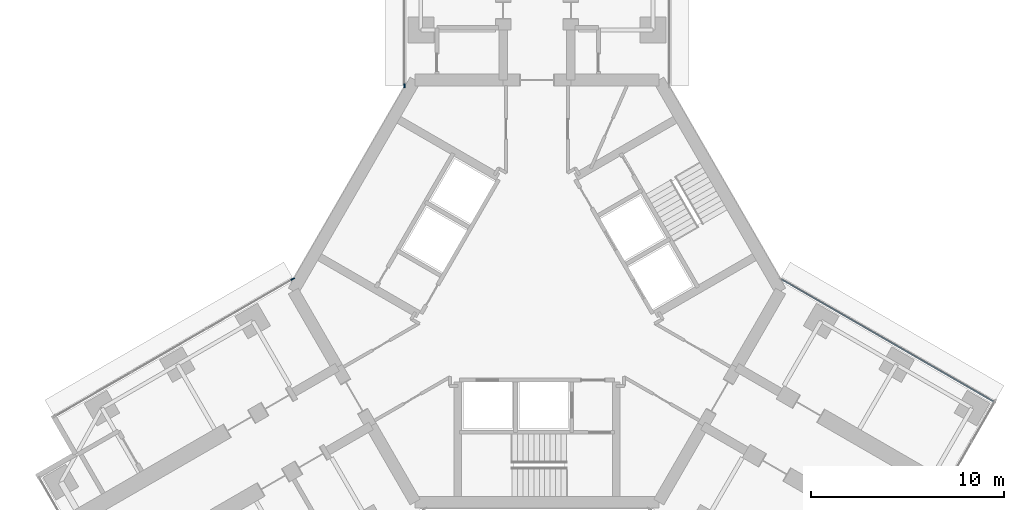
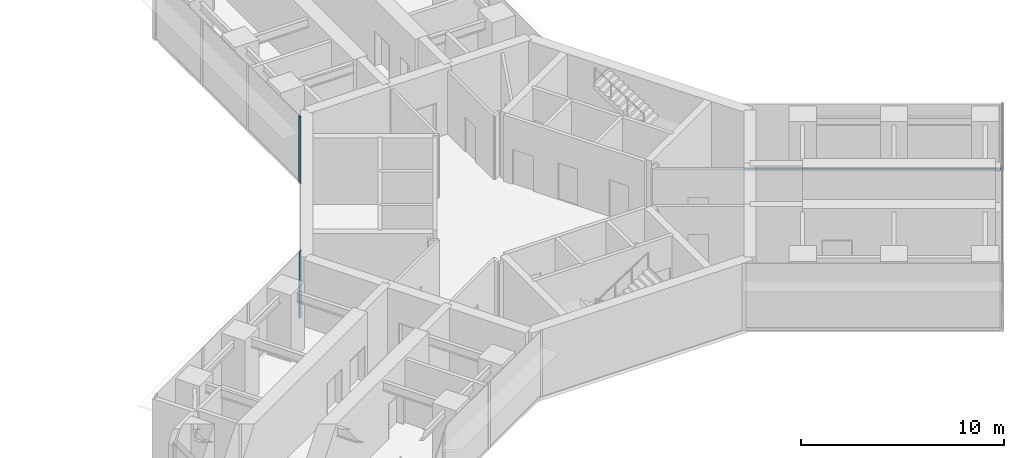
# One storey, part 9 of 21: 3 members, 3 elements without a shape of their own.
"""IFC4 building model written with IfcOpenShell, lengths in metres."""

from ifc_helpers import new_model, si_unit, direction, frame, origin, origin_2d, place, context, subcontext, project, spatial, rectangle, extrude, material, material_profile, profile_set, type_object, element, aggregate, save


model = new_model("IFC4")

# Units and contexts
model_context = context("Model", 3, precision=1e-05, world=origin(), true_north=direction((0.0, 1.0)))
body_context = subcontext(model_context, "Body", "Model", "MODEL_VIEW")
ifc_project = project(units=[si_unit("LENGTHUNIT", "METRE"), si_unit("AREAUNIT", "SQUARE_METRE"), si_unit("VOLUMEUNIT", "CUBIC_METRE"), si_unit("PLANEANGLEUNIT", "RADIAN"), si_unit("MASSUNIT", "GRAM", prefix="KILO")], contexts=[model_context])

# Site, building, storey
site_placement = place(None, origin())
site = spatial("IfcSite", under=ifc_project, at=site_placement, CompositionType="ELEMENT")
building_placement = place(site_placement, origin())
building = spatial("IfcBuilding", under=site, at=building_placement, Name="Upepo Twin Towers", CompositionType="ELEMENT")
storey_placement = place(building_placement, frame((0.0, 0.0, 109.5)))
storey = spatial("IfcBuildingStorey", under=building, at=storey_placement, Name="L26", CompositionType="ELEMENT", Elevation=109.5)

# Curtain wall, member
ifc_material_1 = material(Name="Aluminium and fritted glass", Category="aluminium")
curtain_wall_type = type_object("IfcCurtainWallType", Name="Tower curtain wall TW2, fritted glass", PredefinedType="NOTDEFINED", material=ifc_material_1)
curtain_wall_1_placement = place(storey_placement, origin())
curtain_wall_1 = element("IfcCurtainWall", 1, at=curtain_wall_1_placement, inside=storey, type_object=curtain_wall_type, Name="T2 L26 wing A flank L curtain wall", PredefinedType="NOTDEFINED")
ifc_material_2 = material(Name="Aluminium mullion", Category="aluminium")
ifc_material_profile_1 = material_profile(ifc_material_2, rectangle(XDim=0.06494140625, YDim=0.199951171875, at=origin_2d()), Name="MULLION 65x200")
ifc_profile_set_1 = profile_set([ifc_material_profile_1], Name="Aluminium mullion")
member_type_1 = type_object("IfcMemberType", Name="Mullion 65x200 TW2", PredefinedType="MULLION", material=ifc_profile_set_1)
member_1_placement = place(storey_placement, frame((51.64990234375, -7.38037109375, 0.0), z_axis=(0.0, 0.0, 1.0), x_axis=(-1.0, 0.0, 0.0)))
member_1 = element("IfcMember", 2, at=member_1_placement, type_object=member_type_1, Name="T2 L26 wing A flank L curtain wall mullion 1", PredefinedType="MULLION", context=body_context, shape_type="SweptSolid", body=[
    extrude(rectangle(XDim=0.06494140625, YDim=0.199951171875, at=origin_2d()), origin(), (0.0, 0.0, 1.0), 4.0),
])
aggregate(curtain_wall_1, [member_1])

curtain_wall_2_placement = place(storey_placement, origin())
curtain_wall_2 = element("IfcCurtainWall", 3, at=curtain_wall_2_placement, inside=storey, type_object=curtain_wall_type, Name="T2 L26 wing B flank R curtain wall", PredefinedType="NOTDEFINED")
member_2_placement = place(storey_placement, frame((45.878173828125, -17.37744140625, 0.0), z_axis=(0.0, 0.0, 1.0), x_axis=(-0.500000010308, 0.866025397833, 0.0)))
member_2 = element("IfcMember", 4, at=member_2_placement, type_object=member_type_1, Name="T2 L26 wing B flank R curtain wall mullion 4", PredefinedType="MULLION", context=body_context, shape_type="SweptSolid", body=[
    extrude(rectangle(XDim=0.06494140625, YDim=0.199951171875, at=origin_2d()), origin(), (0.0, 0.0, 1.0), 4.0),
])
aggregate(curtain_wall_2, [member_2])

curtain_wall_3_placement = place(storey_placement, origin())
curtain_wall_3 = element("IfcCurtainWall", 5, at=curtain_wall_3_placement, inside=storey, type_object=curtain_wall_type, Name="T2 L26 wing C flank L curtain wall", PredefinedType="NOTDEFINED")
ifc_material_3 = material(Name="Aluminium transom", Category="aluminium")
ifc_material_profile_2 = material_profile(ifc_material_3, rectangle(XDim=0.06494140625, YDim=0.14990234375, at=origin_2d()), Name="TRANSOM 65x150")
ifc_profile_set_2 = profile_set([ifc_material_profile_2], Name="Aluminium transom")
member_type_2 = type_object("IfcMemberType", Name="Transom 65x150 TW2", PredefinedType="USERDEFINED", material=ifc_profile_set_2)
member_3_placement = place(storey_placement, frame((71.14990234375, -17.393798828125, 0.074951171875), z_axis=(0.866027247007, -0.499996807431, 0.0), x_axis=(0.499996807431, 0.866027247007, 0.0)))
member_3 = element("IfcMember", 6, at=member_3_placement, type_object=member_type_2, Name="T2 L26 wing C flank L curtain wall transom 1", ObjectType="TRANSOM", PredefinedType="USERDEFINED", context=body_context, shape_type="SweptSolid", body=[
    extrude(rectangle(XDim=0.06494140625, YDim=0.14990234375, at=origin_2d()), origin(), (0.0, 0.0, 1.0), 12.6328125),
])
aggregate(curtain_wall_3, [member_3])

save(model, "model.ifc")
